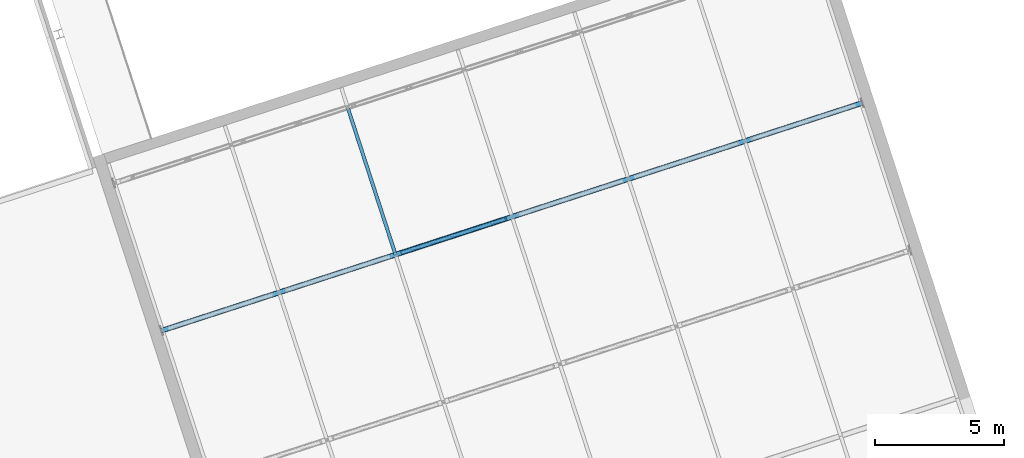
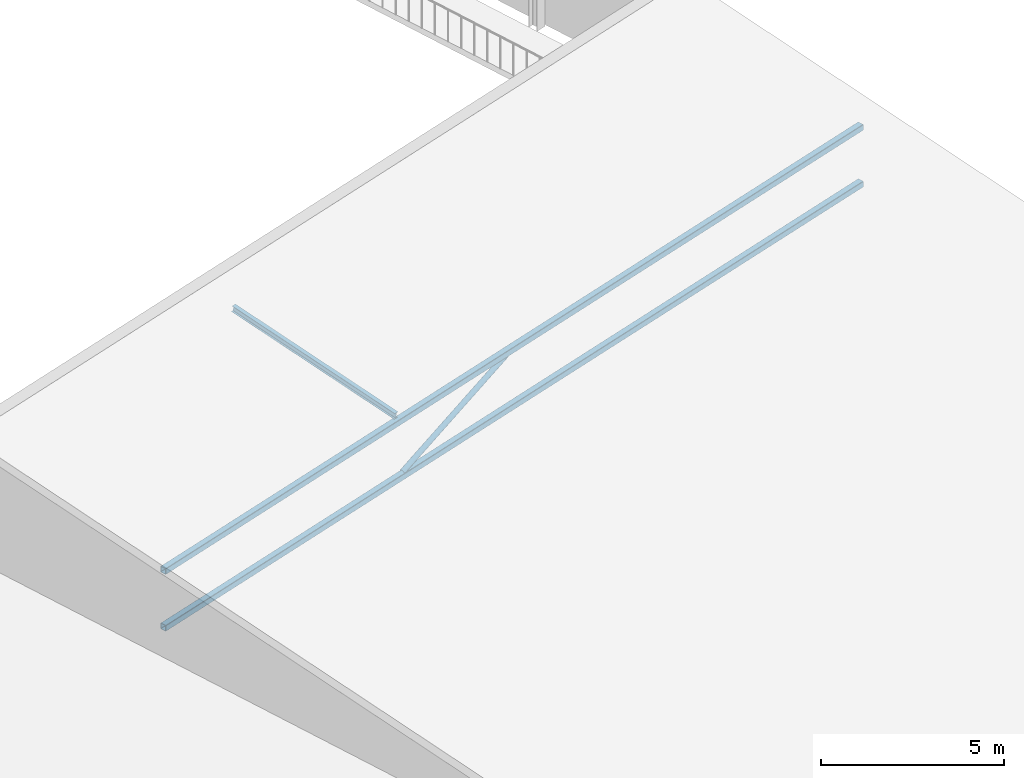
# One storey, part 9 of 55: 4 members.
"""IFC4 building model written with IfcOpenShell, lengths in metres."""

from ifc_helpers import new_model, si_unit, direction, frame, origin, origin_2d, place, context, subcontext, project, spatial, hollow_rectangle, hollow_circle, i_section, extrude, material, material_profile, profile_set, type_object, element, save


model = new_model("IFC4")

# Units and contexts
model_context = context("Model", 3, precision=1e-05, world=origin(), true_north=direction((0.0, 1.0)))
body_context = subcontext(model_context, "Body", "Model", "MODEL_VIEW")
ifc_project = project(units=[si_unit("LENGTHUNIT", "METRE"), si_unit("AREAUNIT", "SQUARE_METRE"), si_unit("VOLUMEUNIT", "CUBIC_METRE"), si_unit("PLANEANGLEUNIT", "RADIAN"), si_unit("MASSUNIT", "GRAM", prefix="KILO")], contexts=[model_context])

# Site, building, storey
site_placement = place(None, origin())
site = spatial("IfcSite", under=ifc_project, at=site_placement, CompositionType="ELEMENT")
building_placement = place(site_placement, origin())
building = spatial("IfcBuilding", under=site, at=building_placement, Name="Tuart Plaza Theatre", CompositionType="ELEMENT")
storey_placement = place(building_placement, frame((0.0, 0.0, 21.5)))
storey = spatial("IfcBuildingStorey", under=building, at=storey_placement, Name="L05", CompositionType="ELEMENT", Elevation=21.5)

# Members
ifc_material_1 = material(Name="Steel Grade C350L0", Category="steel")
ifc_material_profile_1 = material_profile(ifc_material_1, hollow_circle(Radius=0.084228515625, WallThickness=0.00634765625, at=origin_2d()), Name="168.3x6.4 CHS")
ifc_profile_set_1 = profile_set([ifc_material_profile_1], Name="Steel Grade C350L0")
member_type_1 = type_object("IfcMemberType", Name="MEMBER Brace 168.3x6.4 CHS", PredefinedType="BRACE", material=ifc_profile_set_1)
member_1_placement = place(storey_placement, frame((53.02880859375, 65.064697265625, 0.683837890625), z_axis=(0.882822840615, 0.286849316519, 0.371942605385), x_axis=(-0.309019710385, 0.951055633806, 0.0)))
element("IfcMember", 1, at=member_1_placement, inside=storey, type_object=member_type_1, Name="BR21", PredefinedType="BRACE", context=body_context, shape_type="SweptSolid", body=[
    extrude(hollow_circle(Radius=0.084228515625, WallThickness=0.00634765625, at=origin_2d()), origin(), (0.0, 0.0, 1.0), 4.570556640625),
])
ifc_material_2 = material(Name="Steel Grade C350L0", Category="steel")
ifc_material_profile_2 = material_profile(ifc_material_2, hollow_rectangle(XDim=0.199951171875, YDim=0.199951171875, WallThickness=0.010009765625, InnerFilletRadius=0.010009765625, OuterFilletRadius=0.02001953125, at=origin_2d()), Name="200x200x10 SHS")
ifc_profile_set_2 = profile_set([ifc_material_profile_2], Name="Steel Grade C350L0")
member_type_2 = type_object("IfcMemberType", Name="MEMBER Chord 200x200x10 SHS", PredefinedType="CHORD", material=ifc_profile_set_2)
for number, where, z_axis, x_axis, name in (
    (2, (43.724609375, 62.041748046875, 0.583740234375), (0.951055495577, 0.309020135804, 0.0), (-0.309020135804, 0.951055495577, 0.0), "CH7"),
    (3, (43.724609375, 62.041748046875, 2.48388671875), (0.951055495577, 0.309020135804, 0.0), (-0.309020135804, 0.951055495577, 0.0), "CH8"),
):
    element("IfcMember", number, at=place(storey_placement, frame(where, z_axis=z_axis, x_axis=x_axis)), inside=storey, type_object=member_type_2, Name=name, PredefinedType="CHORD", context=body_context, shape_type="SweptSolid", body=[
        extrude(hollow_rectangle(XDim=0.199951171875, YDim=0.199951171875, WallThickness=0.010009765625, InnerFilletRadius=0.010009765625, OuterFilletRadius=0.02001953125, at=origin_2d()), origin(), (0.0, 0.0, 1.0), 28.550048828125),
    ])
ifc_material_3 = material(Name="Steel Grade 300", Category="steel")
ifc_material_profile_3 = material_profile(ifc_material_3, i_section(OverallWidth=0.133056640625, OverallDepth=0.202880859375, WebThickness=0.005859375, FlangeThickness=0.0078125, FilletRadius=0.0087890625, at=origin_2d()), Name="200UB25.4")
ifc_profile_set_3 = profile_set([ifc_material_profile_3], Name="Steel Grade 300")
member_type_3 = type_object("IfcMemberType", Name="MEMBER Purlin 200UB25.4", PredefinedType="PURLIN", material=ifc_profile_set_3)
member_2_placement = place(storey_placement, frame((52.791259765625, 64.98779296875, 2.699462890625), z_axis=(-0.306346807821, 0.942881740744, 0.130865030889), x_axis=(-0.95106067854, -0.309004184009, 0.0)))
element("IfcMember", 4, at=member_2_placement, inside=storey, type_object=member_type_3, Name="PU17", PredefinedType="PURLIN", context=body_context, shape_type="SweptSolid", body=[
    extrude(i_section(OverallWidth=0.133056640625, OverallDepth=0.202880859375, WebThickness=0.005859375, FlangeThickness=0.0078125, FilletRadius=0.0087890625, at=origin_2d()), origin(), (0.0, 0.0, 1.0), 6.052001953125),
])

save(model, "model.ifc")
